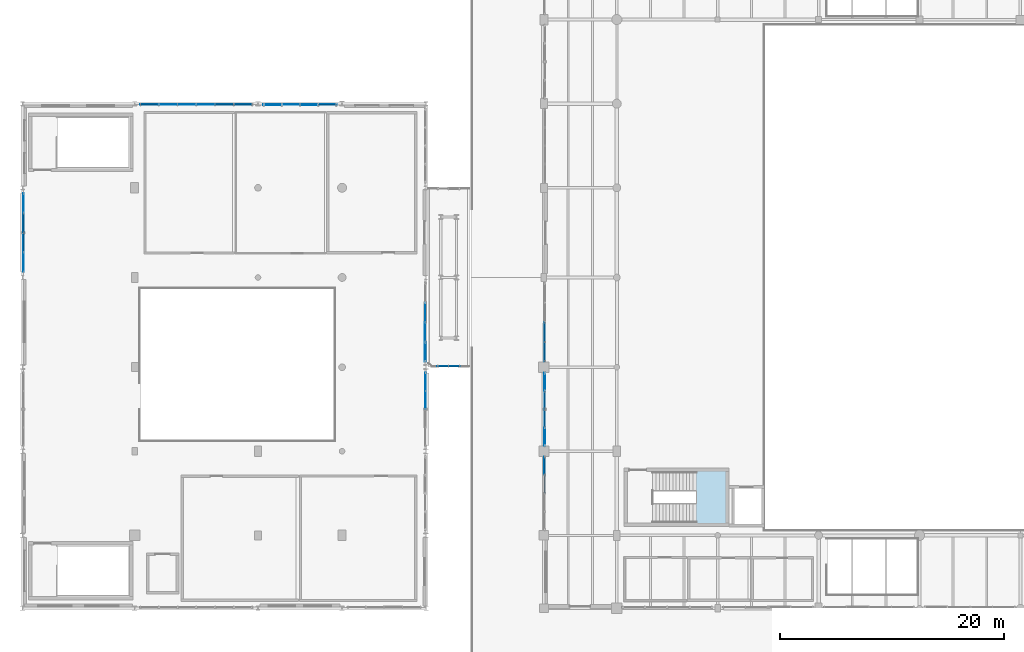
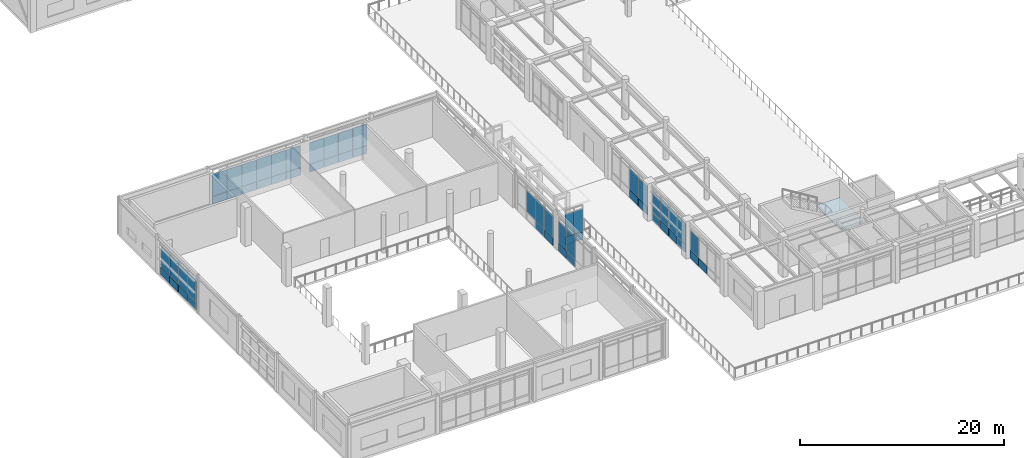
# One storey, part 155 of 200: 56 plates, 1 slab, 10 elements without a shape of their own.
"""IFC4 building model written with IfcOpenShell, lengths in metres."""

from ifc_helpers import new_model, si_unit, direction, frame, origin, origin_2d, place, context, subcontext, project, spatial, polyline, rectangle, outline, extrude, material, layer, layer_set, type_object, element, aggregate, save


model = new_model("IFC4")

# Units and contexts
model_context = context("Model", 3, precision=1e-05, world=origin(), true_north=direction((0.0, 1.0)))
body_context = subcontext(model_context, "Body", "Model", "MODEL_VIEW")
ifc_project = project(units=[si_unit("LENGTHUNIT", "METRE"), si_unit("AREAUNIT", "SQUARE_METRE"), si_unit("VOLUMEUNIT", "CUBIC_METRE"), si_unit("PLANEANGLEUNIT", "RADIAN"), si_unit("MASSUNIT", "GRAM", prefix="KILO"), si_unit("THERMODYNAMICTEMPERATUREUNIT", "KELVIN"), si_unit("POWERUNIT", "WATT")], contexts=[model_context])

# Site, building, storey
site_placement = place(None, origin())
site = spatial("IfcSite", under=ifc_project, at=site_placement, CompositionType="ELEMENT")
building_placement = place(site_placement, origin())
building = spatial("IfcBuilding", under=site, at=building_placement, Name="Tepalcoro Natatorium and Aquatics Centre", CompositionType="ELEMENT")
storey_placement = place(building_placement, frame((0.0, 0.0, 5.39990234375)))
storey = spatial("IfcBuildingStorey", under=building, at=storey_placement, Name="L01", CompositionType="ELEMENT", Elevation=5.39990234375)

# Curtain wall, plates
ifc_material_1 = material(Name="Bronze-Anodised Extruded Aluminium Alloy EN AW-6063 T6", Category="aluminium")
curtain_wall_type_1 = type_object("IfcCurtainWallType", Name="CW_LEAN_T1_EW", PredefinedType="USERDEFINED", material=ifc_material_1)
curtain_wall_1_placement = place(storey_placement, origin())
curtain_wall_1 = element("IfcCurtainWall", 1, at=curtain_wall_1_placement, inside=storey, type_object=curtain_wall_type_1, Name="V1 L01 W Unitised Curtain Wall Bay 3", ObjectType="FACETED SOLAR GLAZING", PredefinedType="USERDEFINED")
ifc_material_2 = material(Name="Solar-Control Bronze Tempered Low-E Double Glazing", Category="glass")
ifc_layer_1 = layer(ifc_material_2, 0.048095703125)
ifc_layer_set_1 = layer_set([ifc_layer_1], Name="Solar-Control Bronze Tempered Low-E Double Glazing")
plate_type_1 = type_object("IfcPlateType", Name="PL_ACOUSTIC_IGU_48", PredefinedType="CURTAIN_PANEL", material=ifc_layer_set_1)
plate_1_placement = place(storey_placement, frame((46.580078125, 21.797607421875, 0.9599609375), z_axis=(0.0, 0.0, 1.0), x_axis=(1.0, 0.0, 0.0)))
plate_1 = element("IfcPlate", 2, at=plate_1_placement, type_object=plate_type_1, Name="CW_LEAN_T1_EW Insulated Glazing Unit", PredefinedType="CURTAIN_PANEL", context=body_context, shape_type="SweptSolid", body=[
    extrude(rectangle(XDim=0.048095703125, YDim=1.614990234375, at=origin_2d()), origin(), (0.0, 0.0, 1.0), 2.51708984375),
])
plate_2_placement = place(storey_placement, frame((46.580078125, 26.702392578125, 0.9599609375), z_axis=(0.0, 0.0, 1.0), x_axis=(1.0, 0.0, 0.0)))
plate_2 = element("IfcPlate", 3, at=plate_2_placement, type_object=plate_type_1, Name="CW_LEAN_T1_EW Insulated Glazing Unit", PredefinedType="CURTAIN_PANEL", context=body_context, shape_type="SweptSolid", body=[
    extrude(rectangle(XDim=0.048095703125, YDim=1.614990234375, at=origin_2d()), origin(), (0.0, 0.0, 1.0), 2.51708984375),
])

curtain_wall_2_placement = place(storey_placement, origin())
curtain_wall_2 = element("IfcCurtainWall", 4, at=curtain_wall_2_placement, inside=storey, type_object=curtain_wall_type_1, Name="V3 L01 N Unitised Curtain Wall Bay 2", ObjectType="FACETED SOLAR GLAZING", PredefinedType="USERDEFINED")
plate_3_placement = place(storey_placement, frame((12.989990234375, 51.4287109375, 0.9599609375), z_axis=(0.0, 0.0, 1.0), x_axis=(1.0, 0.0, 0.0)))
plate_3 = element("IfcPlate", 5, at=plate_3_placement, type_object=plate_type_1, Name="CW_LEAN_T1_EW Insulated Glazing Unit", PredefinedType="CURTAIN_PANEL", context=body_context, shape_type="SweptSolid", body=[
    extrude(rectangle(XDim=1.6533203125, YDim=0.048095703125, at=origin_2d()), origin(), (0.0, 0.0, 1.0), 2.636962890625),
])
plate_4_placement = place(storey_placement, frame((18.010009765625, 51.4287109375, 0.9599609375), z_axis=(0.0, 0.0, 1.0), x_axis=(1.0, 0.0, 0.0)))
plate_4 = element("IfcPlate", 6, at=plate_4_placement, type_object=plate_type_1, Name="CW_LEAN_T1_EW Insulated Glazing Unit", PredefinedType="CURTAIN_PANEL", context=body_context, shape_type="SweptSolid", body=[
    extrude(rectangle(XDim=1.6533203125, YDim=0.048095703125, at=origin_2d()), origin(), (0.0, 0.0, 1.0), 2.636962890625),
])

curtain_wall_type_2 = type_object("IfcCurtainWallType", Name="CW_LEAN_T2_NS", PredefinedType="USERDEFINED", material=ifc_material_1)
curtain_wall_3_placement = place(storey_placement, origin())
curtain_wall_3 = element("IfcCurtainWall", 7, at=curtain_wall_3_placement, inside=storey, type_object=curtain_wall_type_2, Name="V3 L01 N Unitised Curtain Wall Bay 3", ObjectType="FACETED SOLAR GLAZING", PredefinedType="USERDEFINED")
plate_5_placement = place(storey_placement, frame((22.297607421875, 51.409912109375, 0.9599609375), z_axis=(0.0, 0.0, 1.0), x_axis=(1.0, 0.0, 0.0)))
plate_5 = element("IfcPlate", 8, at=plate_5_placement, type_object=plate_type_1, Name="CW_LEAN_T2_NS Insulated Glazing Unit", PredefinedType="CURTAIN_PANEL", context=body_context, shape_type="SweptSolid", body=[
    extrude(rectangle(XDim=1.614990234375, YDim=0.048095703125, at=origin_2d()), origin(), (0.0, 0.0, 1.0), 2.590087890625),
])
plate_6_placement = place(storey_placement, frame((27.202392578125, 51.409912109375, 0.9599609375), z_axis=(0.0, 0.0, 1.0), x_axis=(1.0, 0.0, 0.0)))
plate_6 = element("IfcPlate", 9, at=plate_6_placement, type_object=plate_type_1, Name="CW_LEAN_T2_NS Insulated Glazing Unit", PredefinedType="CURTAIN_PANEL", context=body_context, shape_type="SweptSolid", body=[
    extrude(rectangle(XDim=1.614990234375, YDim=0.048095703125, at=origin_2d()), origin(), (0.0, 0.0, 1.0), 2.590087890625),
])

# Curtain wall, plate
curtain_wall_type_3 = type_object("IfcCurtainWallType", Name="CW_LEAN_T2_EW", PredefinedType="USERDEFINED", material=ifc_material_1)
curtain_wall_4_placement = place(storey_placement, origin())
curtain_wall_4 = element("IfcCurtainWall", 10, at=curtain_wall_4_placement, inside=storey, type_object=curtain_wall_type_3, Name="V3 L01 W Unitised Curtain Wall Bay 5", ObjectType="FACETED SOLAR GLAZING", PredefinedType="USERDEFINED")
plate_7_placement = place(storey_placement, frame((0.090087890625, 39.1201171875, 0.9599609375), z_axis=(0.0, 0.0, 1.0), x_axis=(1.0, 0.0, 0.0)))
plate_7 = element("IfcPlate", 11, at=plate_7_placement, type_object=plate_type_1, Name="CW_LEAN_T2_EW Insulated Glazing Unit", PredefinedType="CURTAIN_PANEL", context=body_context, shape_type="SweptSolid", body=[
    extrude(rectangle(XDim=0.048095703125, YDim=1.739990234375, at=origin_2d()), origin(), (0.0, 0.0, 1.0), 2.513916015625),
])

curtain_wall_5_placement = place(storey_placement, origin())
curtain_wall_5 = element("IfcCurtainWall", 12, at=curtain_wall_5_placement, inside=storey, type_object=curtain_wall_type_3, Name="V3 L01 E Unitised Curtain Wall Bay 3", ObjectType="FACETED SOLAR GLAZING", PredefinedType="USERDEFINED")
plate_8_placement = place(storey_placement, frame((35.9287109375, 25.0673828125, 0.9599609375), z_axis=(0.0, 0.0, 1.0), x_axis=(1.0, 0.0, 0.0)))
plate_8 = element("IfcPlate", 13, at=plate_8_placement, type_object=plate_type_1, Name="CW_LEAN_T2_EW Insulated Glazing Unit", PredefinedType="CURTAIN_PANEL", context=body_context, shape_type="SweptSolid", body=[
    extrude(rectangle(XDim=0.048095703125, YDim=1.614990234375, at=origin_2d()), origin(), (0.0, 0.0, 1.0), 2.636962890625),
])

curtain_wall_type_4 = type_object("IfcCurtainWallType", Name="CW_V1_PLINTH", PredefinedType="USERDEFINED", material=ifc_material_1)
curtain_wall_6_placement = place(storey_placement, origin())
curtain_wall_6 = element("IfcCurtainWall", 14, at=curtain_wall_6_placement, inside=storey, type_object=curtain_wall_type_4, Name="V3 L01 E Unitised Curtain Wall Bay 4", ObjectType="UNITISED STOREFRONT", PredefinedType="USERDEFINED")
plate_9_placement = place(storey_placement, frame((35.909912109375, 31.1201171875, 0.9599609375), z_axis=(0.0, 0.0, 1.0), x_axis=(1.0, 0.0, 0.0)))
plate_9 = element("IfcPlate", 15, at=plate_9_placement, type_object=plate_type_1, Name="CW_V1_PLINTH Insulated Glazing Unit", PredefinedType="CURTAIN_PANEL", context=body_context, shape_type="SweptSolid", body=[
    extrude(rectangle(XDim=0.048095703125, YDim=1.739990234375, at=origin_2d()), origin(), (0.0, 0.0, 1.0), 2.590087890625),
])

curtain_wall_type_5 = type_object("IfcCurtainWallType", Name="CW_LEAN_T1_NS", PredefinedType="USERDEFINED", material=ifc_material_1)
curtain_wall_7_placement = place(storey_placement, origin())
curtain_wall_7 = element("IfcCurtainWall", 16, at=curtain_wall_7_placement, inside=storey, type_object=curtain_wall_type_5, Name="V1 L01 W Unitised Curtain Wall Bay 2", ObjectType="FACETED SOLAR GLAZING", PredefinedType="USERDEFINED")
ifc_layer_2 = layer(ifc_material_2, 0.028076171875)
ifc_layer_set_2 = layer_set([ifc_layer_2], Name="Solar-Control Bronze Tempered Low-E Double Glazing")
plate_type_2 = type_object("IfcPlateType", Name="PL_BRONZE_IGU_28", PredefinedType="CURTAIN_PANEL", material=ifc_layer_set_2)
plate_10_placement = place(storey_placement, frame((46.56494140625, 19.202392578125, 0.9599609375), z_axis=(0.0, 0.0, 1.0), x_axis=(1.0, 0.0, 0.0)))
plate_10 = element("IfcPlate", 17, at=plate_10_placement, type_object=plate_type_2, Name="CW_LEAN_T1_NS Insulated Glazing Unit", PredefinedType="CURTAIN_PANEL", context=body_context, shape_type="SweptSolid", body=[
    extrude(rectangle(XDim=0.028076171875, YDim=1.614990234375, at=origin_2d()), origin(), (0.0, 0.0, 1.0), 2.318115234375),
])

# Plate
plate_11_placement = place(storey_placement, frame((46.580078125, 25.0673828125, 0.9599609375), z_axis=(0.0, 0.0, 1.0), x_axis=(1.0, 0.0, 0.0)))
plate_11 = element("IfcPlate", 18, at=plate_11_placement, type_object=plate_type_2, Name="CW_LEAN_T1_EW Insulated Glazing Unit", PredefinedType="CURTAIN_PANEL", context=body_context, shape_type="SweptSolid", body=[
    extrude(rectangle(XDim=0.028076171875, YDim=1.614990234375, at=origin_2d()), origin(), (0.0, 0.0, 1.0), 2.51708984375),
])

# Curtain wall, plate
curtain_wall_8_placement = place(storey_placement, origin())
curtain_wall_8 = element("IfcCurtainWall", 19, at=curtain_wall_8_placement, inside=storey, type_object=curtain_wall_type_2, Name="V1 L01 W Unitised Curtain Wall Bay 4", ObjectType="FACETED SOLAR GLAZING", PredefinedType="USERDEFINED")
plate_12_placement = place(storey_placement, frame((46.576171875, 31.1201171875, 0.9599609375), z_axis=(0.0, 0.0, 1.0), x_axis=(1.0, 0.0, 0.0)))
plate_12 = element("IfcPlate", 20, at=plate_12_placement, type_object=plate_type_2, Name="CW_LEAN_T2_NS Insulated Glazing Unit", PredefinedType="CURTAIN_PANEL", context=body_context, shape_type="SweptSolid", body=[
    extrude(rectangle(XDim=0.028076171875, YDim=1.739990234375, at=origin_2d()), origin(), (0.0, 0.0, 1.0), 2.469970703125),
])

# Plate
plate_13_placement = place(storey_placement, frame((11.316650390625, 51.4287109375, 0.9599609375), z_axis=(0.0, 0.0, 1.0), x_axis=(1.0, 0.0, 0.0)))
plate_13 = element("IfcPlate", 21, at=plate_13_placement, type_object=plate_type_2, Name="CW_LEAN_T1_EW Insulated Glazing Unit", PredefinedType="CURTAIN_PANEL", context=body_context, shape_type="SweptSolid", body=[
    extrude(rectangle(XDim=1.6533203125, YDim=0.028076171875, at=origin_2d()), origin(), (0.0, 0.0, 1.0), 2.636962890625),
])

plate_14_placement = place(storey_placement, frame((16.336669921875, 51.4287109375, 0.9599609375), z_axis=(0.0, 0.0, 1.0), x_axis=(1.0, 0.0, 0.0)))
plate_14 = element("IfcPlate", 22, at=plate_14_placement, type_object=plate_type_2, Name="CW_LEAN_T1_EW Insulated Glazing Unit", PredefinedType="CURTAIN_PANEL", context=body_context, shape_type="SweptSolid", body=[
    extrude(rectangle(XDim=1.6533203125, YDim=0.028076171875, at=origin_2d()), origin(), (0.0, 0.0, 1.0), 2.636962890625),
])

plate_15_placement = place(storey_placement, frame((25.5673828125, 51.409912109375, 0.9599609375), z_axis=(0.0, 0.0, 1.0), x_axis=(1.0, 0.0, 0.0)))
plate_15 = element("IfcPlate", 23, at=plate_15_placement, type_object=plate_type_2, Name="CW_LEAN_T2_NS Insulated Glazing Unit", PredefinedType="CURTAIN_PANEL", context=body_context, shape_type="SweptSolid", body=[
    extrude(rectangle(XDim=1.614990234375, YDim=0.028076171875, at=origin_2d()), origin(), (0.0, 0.0, 1.0), 2.590087890625),
])

plate_16_placement = place(storey_placement, frame((0.090087890625, 37.360107421875, 0.9599609375), z_axis=(0.0, 0.0, 1.0), x_axis=(1.0, 0.0, 0.0)))
plate_16 = element("IfcPlate", 24, at=plate_16_placement, type_object=plate_type_2, Name="CW_LEAN_T2_EW Insulated Glazing Unit", PredefinedType="CURTAIN_PANEL", context=body_context, shape_type="SweptSolid", body=[
    extrude(rectangle(XDim=0.028076171875, YDim=1.739990234375, at=origin_2d()), origin(), (0.0, 0.0, 1.0), 2.513916015625),
])

plate_17_placement = place(storey_placement, frame((0.090087890625, 42.639892578125, 0.9599609375), z_axis=(0.0, 0.0, 1.0), x_axis=(1.0, 0.0, 0.0)))
plate_17 = element("IfcPlate", 25, at=plate_17_placement, type_object=plate_type_2, Name="CW_LEAN_T2_EW Insulated Glazing Unit", PredefinedType="CURTAIN_PANEL", context=body_context, shape_type="SweptSolid", body=[
    extrude(rectangle(XDim=0.028076171875, YDim=1.739990234375, at=origin_2d()), origin(), (0.0, 0.0, 1.0), 2.513916015625),
])

plate_18_placement = place(storey_placement, frame((35.909912109375, 29.360107421875, 0.9599609375), z_axis=(0.0, 0.0, 1.0), x_axis=(1.0, 0.0, 0.0)))
plate_18 = element("IfcPlate", 26, at=plate_18_placement, type_object=plate_type_2, Name="CW_V1_PLINTH Insulated Glazing Unit", PredefinedType="CURTAIN_PANEL", context=body_context, shape_type="SweptSolid", body=[
    extrude(rectangle(XDim=0.028076171875, YDim=1.739990234375, at=origin_2d()), origin(), (0.0, 0.0, 1.0), 2.590087890625),
])

# Curtain wall, plate
curtain_wall_type_6 = type_object("IfcCurtainWallType", Name="CW_LINK_150", PredefinedType="USERDEFINED", material=ifc_material_1)
curtain_wall_9_placement = place(storey_placement, origin())
curtain_wall_9 = element("IfcCurtainWall", 27, at=curtain_wall_9_placement, inside=storey, type_object=curtain_wall_type_6, Name="West Foyer Seismic Link Glazed Wall S L01", ObjectType="UNITISED STOREFRONT", PredefinedType="USERDEFINED")
plate_19_placement = place(storey_placement, frame((38.5, 28.080078125, 0.9599609375), z_axis=(0.0, 0.0, 1.0), x_axis=(1.0, 0.0, 0.0)))
plate_19 = element("IfcPlate", 28, at=plate_19_placement, type_object=plate_type_2, Name="CW_LINK_150 Insulated Glazing Unit", PredefinedType="CURTAIN_PANEL", context=body_context, shape_type="SweptSolid", body=[
    extrude(rectangle(XDim=0.97998046875, YDim=0.028076171875, at=origin_2d()), origin(), (0.0, 0.0, 1.0), 2.679931640625),
])

# Plate
ifc_material_3 = material(Name="Jalisco Cantera Rosa Volcanic Tuff Ashlar Masonry", Category="masonry")
ifc_layer_3 = layer(ifc_material_3, 0.090087890625)
ifc_layer_set_3 = layer_set([ifc_layer_3], Name="Jalisco Cantera Rosa Volcanic Tuff Ashlar Masonry")
plate_type_3 = type_object("IfcPlateType", Name="PL_CANTERA_90", PredefinedType="SHEET", material=ifc_layer_set_3)
plate_20_placement = place(storey_placement, frame((46.56494140625, 17.5673828125, 0.044921875), z_axis=(0.0, 0.0, 1.0), x_axis=(1.0, 0.0, 0.0)))
plate_20 = element("IfcPlate", 29, at=plate_20_placement, type_object=plate_type_3, Name="CW_LEAN_T1_NS Spandrel & Screen Panel", PredefinedType="SHEET", context=body_context, shape_type="SweptSolid", body=[
    extrude(rectangle(XDim=0.090087890625, YDim=1.614990234375, at=origin_2d()), origin(), (0.0, 0.0, 1.0), 0.909912109375),
])

plate_21_placement = place(storey_placement, frame((46.580078125, 23.4326171875, 0.044921875), z_axis=(0.0, 0.0, 1.0), x_axis=(1.0, 0.0, 0.0)))
plate_21 = element("IfcPlate", 30, at=plate_21_placement, type_object=plate_type_3, Name="CW_LEAN_T1_EW Spandrel & Screen Panel", PredefinedType="SHEET", context=body_context, shape_type="SweptSolid", body=[
    extrude(rectangle(XDim=0.090087890625, YDim=1.614990234375, at=origin_2d()), origin(), (0.0, 0.0, 1.0), 0.909912109375),
])

plate_22_placement = place(storey_placement, frame((46.576171875, 29.360107421875, 0.044921875), z_axis=(0.0, 0.0, 1.0), x_axis=(1.0, 0.0, 0.0)))
plate_22 = element("IfcPlate", 31, at=plate_22_placement, type_object=plate_type_3, Name="CW_LEAN_T2_NS Spandrel & Screen Panel", PredefinedType="SHEET", context=body_context, shape_type="SweptSolid", body=[
    extrude(rectangle(XDim=0.090087890625, YDim=1.739990234375, at=origin_2d()), origin(), (0.0, 0.0, 1.0), 0.909912109375),
])

plate_23_placement = place(storey_placement, frame((18.010009765625, 51.4287109375, 0.044921875), z_axis=(0.0, 0.0, 1.0), x_axis=(1.0, 0.0, 0.0)))
plate_23 = element("IfcPlate", 32, at=plate_23_placement, type_object=plate_type_3, Name="CW_LEAN_T1_EW Spandrel & Screen Panel", PredefinedType="SHEET", context=body_context, shape_type="SweptSolid", body=[
    extrude(rectangle(XDim=1.6533203125, YDim=0.090087890625, at=origin_2d()), origin(), (0.0, 0.0, 1.0), 0.909912109375),
])

plate_24_placement = place(storey_placement, frame((27.202392578125, 51.409912109375, 0.044921875), z_axis=(0.0, 0.0, 1.0), x_axis=(1.0, 0.0, 0.0)))
plate_24 = element("IfcPlate", 33, at=plate_24_placement, type_object=plate_type_3, Name="CW_LEAN_T2_NS Spandrel & Screen Panel", PredefinedType="SHEET", context=body_context, shape_type="SweptSolid", body=[
    extrude(rectangle(XDim=1.614990234375, YDim=0.090087890625, at=origin_2d()), origin(), (0.0, 0.0, 1.0), 0.909912109375),
])

plate_25_placement = place(storey_placement, frame((0.090087890625, 39.1201171875, 0.044921875), z_axis=(0.0, 0.0, 1.0), x_axis=(1.0, 0.0, 0.0)))
plate_25 = element("IfcPlate", 34, at=plate_25_placement, type_object=plate_type_3, Name="CW_LEAN_T2_EW Spandrel & Screen Panel", PredefinedType="SHEET", context=body_context, shape_type="SweptSolid", body=[
    extrude(rectangle(XDim=0.090087890625, YDim=1.739990234375, at=origin_2d()), origin(), (0.0, 0.0, 1.0), 0.909912109375),
])

plate_26_placement = place(storey_placement, frame((37.5, 28.080078125, 0.044921875), z_axis=(0.0, 0.0, 1.0), x_axis=(1.0, 0.0, 0.0)))
plate_26 = element("IfcPlate", 35, at=plate_26_placement, type_object=plate_type_3, Name="CW_LINK_150 Spandrel & Screen Panel", PredefinedType="SHEET", context=body_context, shape_type="SweptSolid", body=[
    extrude(rectangle(XDim=0.97998046875, YDim=0.090087890625, at=origin_2d()), origin(), (0.0, 0.0, 1.0), 0.909912109375),
])

ifc_material_4 = material(Name="Clear Tempered Low-E Safety Glazing", Category="glass")
ifc_layer_4 = layer(ifc_material_4, 0.011962890625)
ifc_layer_set_4 = layer_set([ifc_layer_4], Name="Clear Tempered Low-E Safety Glazing")
plate_type_4 = type_object("IfcPlateType", Name="PL_GLASS_12", PredefinedType="CURTAIN_PANEL", material=ifc_layer_set_4)
plate_27_placement = place(storey_placement, frame((46.580078125, 23.4326171875, 0.9599609375), z_axis=(0.0, 0.0, 1.0), x_axis=(1.0, 0.0, 0.0)))
plate_27 = element("IfcPlate", 36, at=plate_27_placement, type_object=plate_type_4, Name="CW_LEAN_T1_EW Insulated Glazing Unit", PredefinedType="CURTAIN_PANEL", context=body_context, shape_type="SweptSolid", body=[
    extrude(rectangle(XDim=0.011962890625, YDim=1.614990234375, at=origin_2d()), origin(), (0.0, 0.0, 1.0), 2.51708984375),
])

plate_28_placement = place(storey_placement, frame((46.576171875, 29.360107421875, 0.9599609375), z_axis=(0.0, 0.0, 1.0), x_axis=(1.0, 0.0, 0.0)))
plate_28 = element("IfcPlate", 37, at=plate_28_placement, type_object=plate_type_4, Name="CW_LEAN_T2_NS Insulated Glazing Unit", PredefinedType="CURTAIN_PANEL", context=body_context, shape_type="SweptSolid", body=[
    extrude(rectangle(XDim=0.011962890625, YDim=1.739990234375, at=origin_2d()), origin(), (0.0, 0.0, 1.0), 2.469970703125),
])

plate_29_placement = place(storey_placement, frame((14.663330078125, 51.4287109375, 0.9599609375), z_axis=(0.0, 0.0, 1.0), x_axis=(1.0, 0.0, 0.0)))
plate_29 = element("IfcPlate", 38, at=plate_29_placement, type_object=plate_type_4, Name="CW_LEAN_T1_EW Insulated Glazing Unit", PredefinedType="CURTAIN_PANEL", context=body_context, shape_type="SweptSolid", body=[
    extrude(rectangle(XDim=1.6533203125, YDim=0.011962890625, at=origin_2d()), origin(), (0.0, 0.0, 1.0), 2.636962890625),
])

plate_30_placement = place(storey_placement, frame((19.683349609375, 51.4287109375, 0.9599609375), z_axis=(0.0, 0.0, 1.0), x_axis=(1.0, 0.0, 0.0)))
plate_30 = element("IfcPlate", 39, at=plate_30_placement, type_object=plate_type_4, Name="CW_LEAN_T1_EW Insulated Glazing Unit", PredefinedType="CURTAIN_PANEL", context=body_context, shape_type="SweptSolid", body=[
    extrude(rectangle(XDim=1.6533203125, YDim=0.011962890625, at=origin_2d()), origin(), (0.0, 0.0, 1.0), 2.636962890625),
])

plate_31_placement = place(storey_placement, frame((23.9326171875, 51.409912109375, 0.9599609375), z_axis=(0.0, 0.0, 1.0), x_axis=(1.0, 0.0, 0.0)))
plate_31 = element("IfcPlate", 40, at=plate_31_placement, type_object=plate_type_4, Name="CW_LEAN_T2_NS Insulated Glazing Unit", PredefinedType="CURTAIN_PANEL", context=body_context, shape_type="SweptSolid", body=[
    extrude(rectangle(XDim=1.614990234375, YDim=0.011962890625, at=origin_2d()), origin(), (0.0, 0.0, 1.0), 2.590087890625),
])

plate_32_placement = place(storey_placement, frame((0.090087890625, 40.8798828125, 0.9599609375), z_axis=(0.0, 0.0, 1.0), x_axis=(1.0, 0.0, 0.0)))
plate_32 = element("IfcPlate", 41, at=plate_32_placement, type_object=plate_type_4, Name="CW_LEAN_T2_EW Insulated Glazing Unit", PredefinedType="CURTAIN_PANEL", context=body_context, shape_type="SweptSolid", body=[
    extrude(rectangle(XDim=0.011962890625, YDim=1.739990234375, at=origin_2d()), origin(), (0.0, 0.0, 1.0), 2.513916015625),
])

plate_33_placement = place(storey_placement, frame((35.9287109375, 26.702392578125, 0.9599609375), z_axis=(0.0, 0.0, 1.0), x_axis=(1.0, 0.0, 0.0)))
plate_33 = element("IfcPlate", 42, at=plate_33_placement, type_object=plate_type_4, Name="CW_LEAN_T2_EW Insulated Glazing Unit", PredefinedType="CURTAIN_PANEL", context=body_context, shape_type="SweptSolid", body=[
    extrude(rectangle(XDim=0.011962890625, YDim=1.614990234375, at=origin_2d()), origin(), (0.0, 0.0, 1.0), 2.636962890625),
])

plate_34_placement = place(storey_placement, frame((35.909912109375, 32.8798828125, 0.9599609375), z_axis=(0.0, 0.0, 1.0), x_axis=(1.0, 0.0, 0.0)))
plate_34 = element("IfcPlate", 43, at=plate_34_placement, type_object=plate_type_4, Name="CW_V1_PLINTH Insulated Glazing Unit", PredefinedType="CURTAIN_PANEL", context=body_context, shape_type="SweptSolid", body=[
    extrude(rectangle(XDim=0.011962890625, YDim=1.739990234375, at=origin_2d()), origin(), (0.0, 0.0, 1.0), 2.590087890625),
])

plate_35_placement = place(storey_placement, frame((37.5, 28.080078125, 0.9599609375), z_axis=(0.0, 0.0, 1.0), x_axis=(1.0, 0.0, 0.0)))
plate_35 = element("IfcPlate", 44, at=plate_35_placement, type_object=plate_type_4, Name="CW_LINK_150 Insulated Glazing Unit", PredefinedType="CURTAIN_PANEL", context=body_context, shape_type="SweptSolid", body=[
    extrude(rectangle(XDim=0.97998046875, YDim=0.011962890625, at=origin_2d()), origin(), (0.0, 0.0, 1.0), 2.679931640625),
])

ifc_material_5 = material(Name="Volcanic Recinto Basalt Ashlar Masonry", Category="masonry")
ifc_layer_5 = layer(ifc_material_5, 0.110107421875)
ifc_layer_set_5 = layer_set([ifc_layer_5], Name="Volcanic Recinto Basalt Ashlar Masonry")
plate_type_5 = type_object("IfcPlateType", Name="PL_RECINTO_110", PredefinedType="SHEET", material=ifc_layer_set_5)
plate_36_placement = place(storey_placement, frame((46.56494140625, 19.202392578125, 0.044921875), z_axis=(0.0, 0.0, 1.0), x_axis=(1.0, 0.0, 0.0)))
plate_36 = element("IfcPlate", 45, at=plate_36_placement, type_object=plate_type_5, Name="CW_LEAN_T1_NS Spandrel & Screen Panel", PredefinedType="SHEET", context=body_context, shape_type="SweptSolid", body=[
    extrude(rectangle(XDim=0.110107421875, YDim=1.614990234375, at=origin_2d()), origin(), (0.0, 0.0, 1.0), 0.909912109375),
])

aggregate(curtain_wall_7, [plate_20, plate_10, plate_36])

plate_37_placement = place(storey_placement, frame((46.580078125, 25.0673828125, 0.044921875), z_axis=(0.0, 0.0, 1.0), x_axis=(1.0, 0.0, 0.0)))
plate_37 = element("IfcPlate", 46, at=plate_37_placement, type_object=plate_type_5, Name="CW_LEAN_T1_EW Spandrel & Screen Panel", PredefinedType="SHEET", context=body_context, shape_type="SweptSolid", body=[
    extrude(rectangle(XDim=0.110107421875, YDim=1.614990234375, at=origin_2d()), origin(), (0.0, 0.0, 1.0), 0.909912109375),
])

plate_38_placement = place(storey_placement, frame((46.576171875, 31.1201171875, 0.044921875), z_axis=(0.0, 0.0, 1.0), x_axis=(1.0, 0.0, 0.0)))
plate_38 = element("IfcPlate", 47, at=plate_38_placement, type_object=plate_type_5, Name="CW_LEAN_T2_NS Spandrel & Screen Panel", PredefinedType="SHEET", context=body_context, shape_type="SweptSolid", body=[
    extrude(rectangle(XDim=0.110107421875, YDim=1.739990234375, at=origin_2d()), origin(), (0.0, 0.0, 1.0), 0.909912109375),
])

aggregate(curtain_wall_8, [plate_28, plate_22, plate_12, plate_38])

plate_39_placement = place(storey_placement, frame((11.316650390625, 51.4287109375, 0.044921875), z_axis=(0.0, 0.0, 1.0), x_axis=(1.0, 0.0, 0.0)))
plate_39 = element("IfcPlate", 48, at=plate_39_placement, type_object=plate_type_5, Name="CW_LEAN_T1_EW Spandrel & Screen Panel", PredefinedType="SHEET", context=body_context, shape_type="SweptSolid", body=[
    extrude(rectangle(XDim=1.6533203125, YDim=0.110107421875, at=origin_2d()), origin(), (0.0, 0.0, 1.0), 0.909912109375),
])

plate_40_placement = place(storey_placement, frame((19.683349609375, 51.4287109375, 0.044921875), z_axis=(0.0, 0.0, 1.0), x_axis=(1.0, 0.0, 0.0)))
plate_40 = element("IfcPlate", 49, at=plate_40_placement, type_object=plate_type_5, Name="CW_LEAN_T1_EW Spandrel & Screen Panel", PredefinedType="SHEET", context=body_context, shape_type="SweptSolid", body=[
    extrude(rectangle(XDim=1.6533203125, YDim=0.110107421875, at=origin_2d()), origin(), (0.0, 0.0, 1.0), 0.909912109375),
])

plate_41_placement = place(storey_placement, frame((0.090087890625, 40.8798828125, 0.044921875), z_axis=(0.0, 0.0, 1.0), x_axis=(1.0, 0.0, 0.0)))
plate_41 = element("IfcPlate", 50, at=plate_41_placement, type_object=plate_type_5, Name="CW_LEAN_T2_EW Spandrel & Screen Panel", PredefinedType="SHEET", context=body_context, shape_type="SweptSolid", body=[
    extrude(rectangle(XDim=0.110107421875, YDim=1.739990234375, at=origin_2d()), origin(), (0.0, 0.0, 1.0), 0.909912109375),
])

plate_42_placement = place(storey_placement, frame((38.5, 28.080078125, 0.044921875), z_axis=(0.0, 0.0, 1.0), x_axis=(1.0, 0.0, 0.0)))
plate_42 = element("IfcPlate", 51, at=plate_42_placement, type_object=plate_type_5, Name="CW_LINK_150 Spandrel & Screen Panel", PredefinedType="SHEET", context=body_context, shape_type="SweptSolid", body=[
    extrude(rectangle(XDim=0.97998046875, YDim=0.110107421875, at=origin_2d()), origin(), (0.0, 0.0, 1.0), 0.909912109375),
])

aggregate(curtain_wall_9, [plate_35, plate_26, plate_19, plate_42])

ifc_layer_6 = layer(ifc_material_1, 0.050048828125)
ifc_layer_set_6 = layer_set([ifc_layer_6], Name="Bronze-Anodised Extruded Aluminium Alloy EN AW-6063 T6")
plate_type_6 = type_object("IfcPlateType", Name="PL_SCREEN_50", PredefinedType="SHEET", material=ifc_layer_set_6)
plate_43_placement = place(storey_placement, frame((14.663330078125, 51.4287109375, 0.044921875), z_axis=(0.0, 0.0, 1.0), x_axis=(1.0, 0.0, 0.0)))
plate_43 = element("IfcPlate", 52, at=plate_43_placement, type_object=plate_type_6, Name="CW_LEAN_T1_EW Spandrel & Screen Panel", PredefinedType="SHEET", context=body_context, shape_type="SweptSolid", body=[
    extrude(rectangle(XDim=1.6533203125, YDim=0.050048828125, at=origin_2d()), origin(), (0.0, 0.0, 1.0), 0.909912109375),
])

plate_44_placement = place(storey_placement, frame((23.9326171875, 51.409912109375, 0.044921875), z_axis=(0.0, 0.0, 1.0), x_axis=(1.0, 0.0, 0.0)))
plate_44 = element("IfcPlate", 53, at=plate_44_placement, type_object=plate_type_6, Name="CW_LEAN_T2_NS Spandrel & Screen Panel", PredefinedType="SHEET", context=body_context, shape_type="SweptSolid", body=[
    extrude(rectangle(XDim=1.614990234375, YDim=0.050048828125, at=origin_2d()), origin(), (0.0, 0.0, 1.0), 0.909912109375),
])

plate_45_placement = place(storey_placement, frame((35.9287109375, 25.0673828125, 0.044921875), z_axis=(0.0, 0.0, 1.0), x_axis=(1.0, 0.0, 0.0)))
plate_45 = element("IfcPlate", 54, at=plate_45_placement, type_object=plate_type_6, Name="CW_LEAN_T2_EW Spandrel & Screen Panel", PredefinedType="SHEET", context=body_context, shape_type="SweptSolid", body=[
    extrude(rectangle(XDim=0.050048828125, YDim=1.614990234375, at=origin_2d()), origin(), (0.0, 0.0, 1.0), 0.909912109375),
])

plate_46_placement = place(storey_placement, frame((35.909912109375, 31.1201171875, 0.044921875), z_axis=(0.0, 0.0, 1.0), x_axis=(1.0, 0.0, 0.0)))
plate_46 = element("IfcPlate", 55, at=plate_46_placement, type_object=plate_type_6, Name="CW_V1_PLINTH Spandrel & Screen Panel", PredefinedType="SHEET", context=body_context, shape_type="SweptSolid", body=[
    extrude(rectangle(XDim=0.050048828125, YDim=1.739990234375, at=origin_2d()), origin(), (0.0, 0.0, 1.0), 0.909912109375),
])

ifc_layer_7 = layer(ifc_material_1, 0.06005859375)
ifc_layer_set_7 = layer_set([ifc_layer_7], Name="Bronze-Anodised Extruded Aluminium Alloy EN AW-6063 T6")
plate_type_7 = type_object("IfcPlateType", Name="PL_SCREEN_60", PredefinedType="SHEET", material=ifc_layer_set_7)
plate_47_placement = place(storey_placement, frame((46.580078125, 21.797607421875, 0.044921875), z_axis=(0.0, 0.0, 1.0), x_axis=(1.0, 0.0, 0.0)))
plate_47 = element("IfcPlate", 56, at=plate_47_placement, type_object=plate_type_7, Name="CW_LEAN_T1_EW Spandrel & Screen Panel", PredefinedType="SHEET", context=body_context, shape_type="SweptSolid", body=[
    extrude(rectangle(XDim=0.06005859375, YDim=1.614990234375, at=origin_2d()), origin(), (0.0, 0.0, 1.0), 0.909912109375),
])

plate_48_placement = place(storey_placement, frame((16.336669921875, 51.4287109375, 0.044921875), z_axis=(0.0, 0.0, 1.0), x_axis=(1.0, 0.0, 0.0)))
plate_48 = element("IfcPlate", 57, at=plate_48_placement, type_object=plate_type_7, Name="CW_LEAN_T1_EW Spandrel & Screen Panel", PredefinedType="SHEET", context=body_context, shape_type="SweptSolid", body=[
    extrude(rectangle(XDim=1.6533203125, YDim=0.06005859375, at=origin_2d()), origin(), (0.0, 0.0, 1.0), 0.909912109375),
])

plate_49_placement = place(storey_placement, frame((25.5673828125, 51.409912109375, 0.044921875), z_axis=(0.0, 0.0, 1.0), x_axis=(1.0, 0.0, 0.0)))
plate_49 = element("IfcPlate", 58, at=plate_49_placement, type_object=plate_type_7, Name="CW_LEAN_T2_NS Spandrel & Screen Panel", PredefinedType="SHEET", context=body_context, shape_type="SweptSolid", body=[
    extrude(rectangle(XDim=1.614990234375, YDim=0.06005859375, at=origin_2d()), origin(), (0.0, 0.0, 1.0), 0.909912109375),
])

plate_50_placement = place(storey_placement, frame((0.090087890625, 37.360107421875, 0.044921875), z_axis=(0.0, 0.0, 1.0), x_axis=(1.0, 0.0, 0.0)))
plate_50 = element("IfcPlate", 59, at=plate_50_placement, type_object=plate_type_7, Name="CW_LEAN_T2_EW Spandrel & Screen Panel", PredefinedType="SHEET", context=body_context, shape_type="SweptSolid", body=[
    extrude(rectangle(XDim=0.06005859375, YDim=1.739990234375, at=origin_2d()), origin(), (0.0, 0.0, 1.0), 0.909912109375),
])

plate_51_placement = place(storey_placement, frame((35.9287109375, 26.702392578125, 0.044921875), z_axis=(0.0, 0.0, 1.0), x_axis=(1.0, 0.0, 0.0)))
plate_51 = element("IfcPlate", 60, at=plate_51_placement, type_object=plate_type_7, Name="CW_LEAN_T2_EW Spandrel & Screen Panel", PredefinedType="SHEET", context=body_context, shape_type="SweptSolid", body=[
    extrude(rectangle(XDim=0.06005859375, YDim=1.614990234375, at=origin_2d()), origin(), (0.0, 0.0, 1.0), 0.909912109375),
])

aggregate(curtain_wall_5, [plate_8, plate_45, plate_33, plate_51])

ifc_material_6 = material(Name="Insulated Bronze Anodised Aluminium Spandrel Panel", Category="aluminium")
ifc_layer_8 = layer(ifc_material_6, 0.070068359375)
ifc_layer_set_8 = layer_set([ifc_layer_8], Name="Insulated Bronze Anodised Aluminium Spandrel Panel")
plate_type_8 = type_object("IfcPlateType", Name="PL_SPANDREL_70", PredefinedType="CURTAIN_PANEL", material=ifc_layer_set_8)
plate_52_placement = place(storey_placement, frame((46.580078125, 26.702392578125, 0.044921875), z_axis=(0.0, 0.0, 1.0), x_axis=(1.0, 0.0, 0.0)))
plate_52 = element("IfcPlate", 61, at=plate_52_placement, type_object=plate_type_8, Name="CW_LEAN_T1_EW Spandrel & Screen Panel", PredefinedType="CURTAIN_PANEL", context=body_context, shape_type="SweptSolid", body=[
    extrude(rectangle(XDim=0.070068359375, YDim=1.614990234375, at=origin_2d()), origin(), (0.0, 0.0, 1.0), 0.909912109375),
])

aggregate(curtain_wall_1, [plate_1, plate_47, plate_27, plate_21, plate_11, plate_37, plate_2, plate_52])

plate_53_placement = place(storey_placement, frame((12.989990234375, 51.4287109375, 0.044921875), z_axis=(0.0, 0.0, 1.0), x_axis=(1.0, 0.0, 0.0)))
plate_53 = element("IfcPlate", 62, at=plate_53_placement, type_object=plate_type_8, Name="CW_LEAN_T1_EW Spandrel & Screen Panel", PredefinedType="CURTAIN_PANEL", context=body_context, shape_type="SweptSolid", body=[
    extrude(rectangle(XDim=1.6533203125, YDim=0.070068359375, at=origin_2d()), origin(), (0.0, 0.0, 1.0), 0.909912109375),
])

aggregate(curtain_wall_2, [plate_13, plate_39, plate_3, plate_53, plate_29, plate_43, plate_14, plate_48, plate_4, plate_23, plate_30, plate_40])

plate_54_placement = place(storey_placement, frame((22.297607421875, 51.409912109375, 0.044921875), z_axis=(0.0, 0.0, 1.0), x_axis=(1.0, 0.0, 0.0)))
plate_54 = element("IfcPlate", 63, at=plate_54_placement, type_object=plate_type_8, Name="CW_LEAN_T2_NS Spandrel & Screen Panel", PredefinedType="CURTAIN_PANEL", context=body_context, shape_type="SweptSolid", body=[
    extrude(rectangle(XDim=1.614990234375, YDim=0.070068359375, at=origin_2d()), origin(), (0.0, 0.0, 1.0), 0.909912109375),
])

aggregate(curtain_wall_3, [plate_5, plate_54, plate_31, plate_44, plate_15, plate_49, plate_6, plate_24])

plate_55_placement = place(storey_placement, frame((0.090087890625, 42.639892578125, 0.044921875), z_axis=(0.0, 0.0, 1.0), x_axis=(1.0, 0.0, 0.0)))
plate_55 = element("IfcPlate", 64, at=plate_55_placement, type_object=plate_type_8, Name="CW_LEAN_T2_EW Spandrel & Screen Panel", PredefinedType="CURTAIN_PANEL", context=body_context, shape_type="SweptSolid", body=[
    extrude(rectangle(XDim=0.070068359375, YDim=1.739990234375, at=origin_2d()), origin(), (0.0, 0.0, 1.0), 0.909912109375),
])

aggregate(curtain_wall_4, [plate_16, plate_50, plate_7, plate_25, plate_32, plate_41, plate_17, plate_55])

plate_56_placement = place(storey_placement, frame((35.909912109375, 29.360107421875, 0.044921875), z_axis=(0.0, 0.0, 1.0), x_axis=(1.0, 0.0, 0.0)))
plate_56 = element("IfcPlate", 65, at=plate_56_placement, type_object=plate_type_8, Name="CW_V1_PLINTH Spandrel & Screen Panel", PredefinedType="CURTAIN_PANEL", context=body_context, shape_type="SweptSolid", body=[
    extrude(rectangle(XDim=0.070068359375, YDim=1.739990234375, at=origin_2d()), origin(), (0.0, 0.0, 1.0), 0.909912109375),
])

aggregate(curtain_wall_6, [plate_18, plate_56, plate_9, plate_46, plate_34])

# Stair, slab
ifc_material_7 = material(Name="Concrete C35/45 (fc 35 MPa)", Category="concrete")
stair_type = type_object("IfcStairType", Name="ST_RC_1800_L01", PredefinedType="HALF_TURN_STAIR", material=ifc_material_7)
stair_placement = place(storey_placement, origin())
stair = element("IfcStair", 66, at=stair_placement, inside=storey, type_object=stair_type, Name="Natatorium West Fire Stair (L01 to L02)", PredefinedType="HALF_TURN_STAIR")
ifc_layer_9 = layer(ifc_material_7, 0.199951171875)
ifc_layer_set_9 = layer_set([ifc_layer_9], Name="Concrete C35/45 (fc 35 MPa)")
slab_type = type_object("IfcSlabType", Name="SL_LANDING_200", PredefinedType="LANDING", material=ifc_layer_set_9)
slab_placement = place(storey_placement, frame((0.0, 0.0, 2.2001953125)))
slab = element("IfcSlab", 67, at=slab_placement, type_object=slab_type, Name="Natatorium West Fire Stair (L01 to L02) Half-Landing", PredefinedType="LANDING", context=body_context, shape_type="SweptSolid", body=[
    extrude(outline(polyline([(60.06005859375, 14.080078125), (62.719970703125, 14.080078125), (62.719970703125, 18.719970703125), (60.06005859375, 18.719970703125), (60.06005859375, 14.080078125)])), origin(), (0.0, 0.0, 1.0), 0.199951171875),
])
aggregate(stair, [slab])

save(model, "model.ifc")
